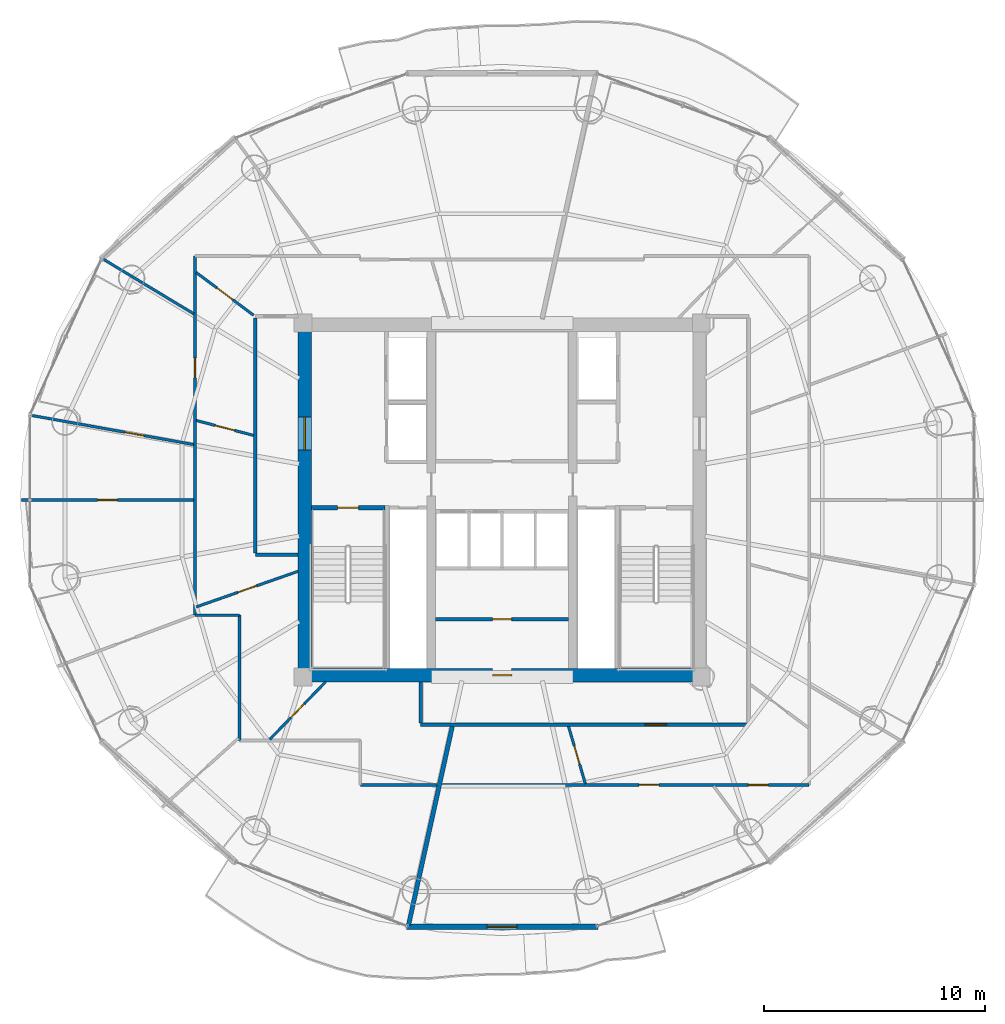
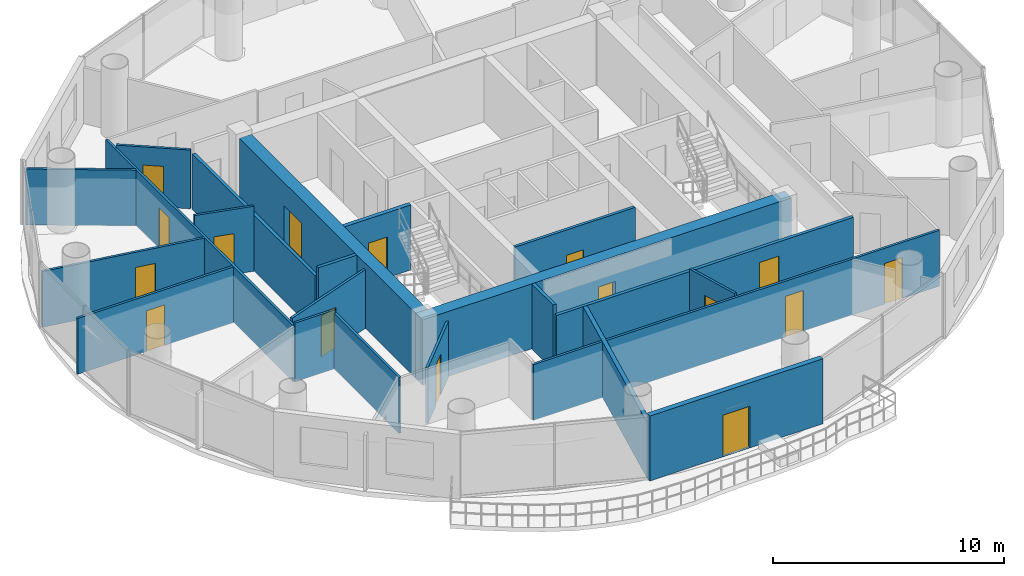
# One storey, part 20 of 26: 23 walls, 16 doors, 16 openings.
"""IFC4 building model written with IfcOpenShell, lengths in metres."""

from ifc_helpers import new_model, si_unit, direction, frame, frame_2d, origin, place, context, subcontext, project, spatial, rectangle, extrude, source, transform, mapped, material, layer, layer_set, type_object, element, fill, save


model = new_model("IFC4")

# Units and contexts
model_context = context("Model", 3, precision=1e-05, world=origin(), true_north=direction((-0.2419218956, 0.970295726276)))
body_context = subcontext(model_context, "Body", "Model", "MODEL_VIEW")
ifc_project = project(units=[si_unit("LENGTHUNIT", "METRE"), si_unit("AREAUNIT", "SQUARE_METRE"), si_unit("VOLUMEUNIT", "CUBIC_METRE"), si_unit("PLANEANGLEUNIT", "RADIAN"), si_unit("MASSUNIT", "GRAM", prefix="KILO")], contexts=[model_context])

# Site, building, storey
site_placement = place(None, origin())
site = spatial("IfcSite", under=ifc_project, at=site_placement, CompositionType="ELEMENT")
building_placement = place(site_placement, origin())
building = spatial("IfcBuilding", under=site, at=building_placement, Name="Cobrevalo Terracotta Tower", CompositionType="ELEMENT")
storey_placement = place(building_placement, frame((0.0, 0.0, 228.199951171875)))
storey = spatial("IfcBuildingStorey", under=building, at=storey_placement, Name="L60", CompositionType="ELEMENT", Elevation=228.199951171875)

# Wall, opening, door
ifc_material_1 = material(Name="Concrete C55", Category="concrete")
ifc_layer_1 = layer(ifc_material_1, 0.60009765625)
ifc_layer_set_1 = layer_set([ifc_layer_1], Name="Concrete C55")
wall_type_1 = type_object("IfcWallType", Name="Core shear wall 600 mm Concrete C55", PredefinedType="SHEAR", material=ifc_layer_set_1)
wall_1_placement = place(storey_placement, frame((28.77490234375, 18.875, 0.0), z_axis=(0.0, 0.0, 1.0), x_axis=(1.0, 0.0, 0.0)))
wall_1 = element("IfcWall", 1, at=wall_1_placement, inside=storey, type_object=wall_type_1, Name="L60 south core shear wall", PredefinedType="SHEAR", context=body_context, shape_type="SweptSolid", body=[
    extrude(rectangle(XDim=18.4501953125, YDim=0.60009765625, at=frame_2d((9.22509765625, 0.0))), origin(), (0.0, 0.0, 1.0), 3.43505859375),
])
opening_1_placement = place(wall_1_placement, frame((8.800048828125, 0.0, 0.0)))
opening_1 = element("IfcOpeningElement", 2, at=opening_1_placement, cuts=wall_1, Name="Opening ID-22", PredefinedType="OPENING", context=body_context, shape_type="SweptSolid", body=[
    extrude(rectangle(XDim=0.85009765625, YDim=2.10009765625, at=frame_2d((0.425048828125, 1.050048828125))), frame((0.0, 0.31005859375, 0.0), z_axis=(0.0, -1.0, 0.0), x_axis=(1.0, 0.0, 0.0)), (0.0, 0.0, 1.0), 0.6201171875),
])
ifc_material_2 = material(Name="Powder-coated steel", Category="steel")
door_type_1 = type_object("IfcDoorType", Name="Riser shaft & meter closet fire access door 850x2100 EI 60", OperationType="NOTDEFINED", PredefinedType="DOOR", material=ifc_material_2)
shared_shape_1 = source(origin(), body_context, "Body", "SweptSolid", [
    extrude(rectangle(XDim=0.85009765625, YDim=2.10009765625, at=frame_2d((0.425048828125, 1.050048828125))), frame((0.0, 0.02490234375, 0.0), z_axis=(0.0, -1.0, 0.0), x_axis=(1.0, 0.0, 0.0)), (0.0, 0.0, 1.0), 0.050048828125),
])
door_1_placement = place(opening_1_placement, origin())
door_1 = element("IfcDoor", 3, at=door_1_placement, inside=storey, type_object=door_type_1, Name="L60 core south plant door Smoke Extract Fan Plant", OperationType="SINGLE_SWING_RIGHT", OverallHeight=2.10009765625, OverallWidth=0.85009765625, PredefinedType="DOOR", context=body_context, shape_type="MappedRepresentation", body=[
    mapped(shared_shape_1, transform((0.0, 0.0, 0.0), scale=1.0)),
])
fill(opening_1, door_1)

wall_2_placement = place(storey_placement, frame((29.074951171875, 19.175048828125, 0.0), z_axis=(0.0, 0.0, 1.0), x_axis=(0.0, 1.0, 0.0)))
wall_2 = element("IfcWall", 4, at=wall_2_placement, inside=storey, type_object=wall_type_1, Name="L60 west core shear wall", PredefinedType="SHEAR", context=body_context, shape_type="SweptSolid", body=[
    extrude(rectangle(XDim=15.25, YDim=0.60009765625, at=frame_2d((7.625, 0.0))), origin(), (0.0, 0.0, 1.0), 3.43505859375),
])
opening_2_placement = place(wall_2_placement, frame((9.875, 0.0, 0.0)))
opening_2 = element("IfcOpeningElement", 5, at=opening_2_placement, cuts=wall_2, Name="Opening ID-14", PredefinedType="OPENING", context=body_context, shape_type="SweptSolid", body=[
    extrude(rectangle(XDim=1.5, YDim=2.199951171875, at=frame_2d((0.75, 1.10009765625))), frame((0.0, 0.31005859375, 0.0), z_axis=(0.0, -1.0, 0.0), x_axis=(1.0, 0.0, 0.0)), (0.0, 0.0, 1.0), 0.6201171875),
])
ifc_material_3 = material(Name="Galvanized fire-rated steel", Category="steel")
door_type_2 = type_object("IfcDoorType", Name="Core cross-lobby double fire door 1500x2200 EI 90", OperationType="NOTDEFINED", PredefinedType="DOOR", material=ifc_material_3)
shared_shape_2 = source(origin(), body_context, "Body", "SweptSolid", [
    extrude(rectangle(XDim=1.5, YDim=2.199951171875, at=frame_2d((0.75, 1.10009765625))), frame((0.0, 0.02490234375, 0.0), z_axis=(0.0, -1.0, 0.0), x_axis=(1.0, 0.0, 0.0)), (0.0, 0.0, 1.0), 0.050048828125),
])
door_2_placement = place(opening_2_placement, origin())
door_2 = element("IfcDoor", 6, at=door_2_placement, inside=storey, type_object=door_type_2, Name="L60 west firefighting lobby entrance door", OperationType="DOUBLE_DOOR_SINGLE_SWING", OverallHeight=2.199951171875, OverallWidth=1.5, PredefinedType="DOOR", context=body_context, shape_type="MappedRepresentation", body=[
    mapped(shared_shape_2, transform((0.0, 0.0, 0.0), scale=1.0)),
])
fill(opening_2, door_2)

# Walls
ifc_material_4 = material(Name="Gypsum board on steel stud", Category="steel")
ifc_layer_2 = layer(ifc_material_4, 0.159912109375)
ifc_layer_set_2 = layer_set([ifc_layer_2], Name="Gypsum board on steel stud")
wall_type_2 = type_object("IfcWallType", Name="Fire-rated corridor acoustic partition wall 160 mm", PredefinedType="PARTITIONING", material=ifc_layer_set_2)
wall_3_placement = place(storey_placement, frame((26.844970703125, 24.39990234375, 0.0), z_axis=(0.0, 0.0, 1.0), x_axis=(0.0, 1.0, 0.0)))
element("IfcWall", 7, at=wall_3_placement, inside=storey, type_object=wall_type_2, Name="L60 interior partition IW-L60-COR-W", PredefinedType="PARTITIONING", context=body_context, shape_type="SweptSolid", body=[
    extrude(rectangle(XDim=10.625, YDim=0.159912109375, at=frame_2d((5.3125, 0.0))), origin(), (0.0, 0.0, 1.0), 2.950927734375),
])
wall_4_placement = place(storey_placement, frame((26.844970703125, 24.320068359375, 0.0), z_axis=(0.0, 0.0, 1.0), x_axis=(1.0, 0.0, 0.0)))
element("IfcWall", 8, at=wall_4_placement, inside=storey, type_object=wall_type_2, Name="L60 interior partition IW-L60-COR-WS-CAP", PredefinedType="PARTITIONING", context=body_context, shape_type="SweptSolid", body=[
    extrude(rectangle(XDim=1.929931640625, YDim=0.159912109375, at=frame_2d((0.96484375, 0.0))), origin(), (0.0, 0.0, 1.0), 3.43505859375),
])

# Wall, opening, door
wall_5_placement = place(storey_placement, frame((34.320068359375, 16.64501953125, 0.0), z_axis=(0.0, 0.0, 1.0), x_axis=(1.0, 0.0, 0.0)))
wall_5 = element("IfcWall", 9, at=wall_5_placement, inside=storey, type_object=wall_type_2, Name="L60 interior partition IW-L60-COR-S", PredefinedType="PARTITIONING", context=body_context, shape_type="SweptSolid", body=[
    extrude(rectangle(XDim=14.8349609375, YDim=0.159912109375, at=frame_2d((7.41748046875, 0.0))), origin(), (0.0, 0.0, 1.0), 2.950927734375),
])
opening_3_placement = place(wall_5_placement, frame((10.135009765625, 0.0, 0.0)))
opening_3 = element("IfcOpeningElement", 10, at=opening_3_placement, cuts=wall_5, Name="Opening ID-05", PredefinedType="OPENING", context=body_context, shape_type="SweptSolid", body=[
    extrude(rectangle(XDim=0.97998046875, YDim=2.199951171875, at=frame_2d((0.489990234375, 1.10009765625))), frame((0.0, 0.08984375, 0.0), z_axis=(0.0, -1.0, 0.0), x_axis=(1.0, 0.0, 0.0)), (0.0, 0.0, 1.0), 0.179931640625),
])
ifc_material_5 = material(Name="Solid hardwood timber", Category="wood")
door_type_3 = type_object("IfcDoorType", Name="Residence entrance fire-rated acoustic timber door 980x2200 EI 60", OperationType="NOTDEFINED", PredefinedType="DOOR", material=ifc_material_5)
shared_shape_3 = source(origin(), body_context, "Body", "SweptSolid", [
    extrude(rectangle(XDim=0.97998046875, YDim=2.199951171875, at=frame_2d((0.489990234375, 1.10009765625))), frame((0.0, 0.02490234375, 0.0), z_axis=(0.0, -1.0, 0.0), x_axis=(1.0, 0.0, 0.0)), (0.0, 0.0, 1.0), 0.050048828125),
])
door_3_placement = place(opening_3_placement, frame((0.97998046875, 0.0, 0.0), z_axis=(0.0, 0.0, 1.0), x_axis=(-1.0, 0.0, 0.0)))
door_3 = element("IfcDoor", 11, at=door_3_placement, inside=storey, type_object=door_type_3, Name="Flat L60B fire-rated apartment entrance door", OperationType="SINGLE_SWING_LEFT", OverallHeight=2.199951171875, OverallWidth=0.97998046875, PredefinedType="DOOR", context=body_context, shape_type="MappedRepresentation", body=[
    mapped(shared_shape_3, transform((0.0, 0.0, 0.0), scale=1.0)),
])
fill(opening_3, door_3)

# Walls
wall_6_placement = place(storey_placement, frame((34.320068359375, 16.72509765625, 0.0), z_axis=(0.0, 0.0, 1.0), x_axis=(0.0, 1.0, 0.0)))
element("IfcWall", 12, at=wall_6_placement, inside=storey, type_object=wall_type_2, Name="L60 interior partition IW-L60-COR-SW-CAP", PredefinedType="PARTITIONING", context=body_context, shape_type="SweptSolid", body=[
    extrude(rectangle(XDim=1.849853515625, YDim=0.159912109375, at=frame_2d((0.9248046875, 0.0))), origin(), (0.0, 0.0, 1.0), 3.43505859375),
])
ifc_material_6 = material(Name="Autoclaved aerated concrete block", Category="concrete")
ifc_layer_3 = layer(ifc_material_6, 0.199951171875)
ifc_layer_set_3 = layer_set([ifc_layer_3], Name="Autoclaved aerated concrete block")
wall_type_3 = type_object("IfcWallType", Name="Fire-rated stair, shaft & demising masonry wall 200 mm", PredefinedType="PARTITIONING", material=ifc_layer_set_3)
wall_7_placement = place(storey_placement, frame((35.7470703125, 16.56494140625, 0.0), z_axis=(0.0, 0.0, 1.0), x_axis=(-0.214957946814, -0.976623305631, 0.0)))
element("IfcWall", 13, at=wall_7_placement, inside=storey, type_object=wall_type_3, Name="L60 interior partition IW-L60-DEM-2", PredefinedType="PARTITIONING", context=body_context, shape_type="SweptSolid", body=[
    extrude(rectangle(XDim=9.201904296875, YDim=0.199951171875, at=frame_2d((4.60107421875, 0.0))), origin(), (0.0, 0.0, 1.0), 2.950927734375),
])

# Wall, opening, door
ifc_layer_4 = layer(ifc_material_6, 0.139892578125)
ifc_layer_set_4 = layer_set([ifc_layer_4], Name="Autoclaved aerated concrete block")
wall_type_4 = type_object("IfcWallType", Name="Moisture-resistant wet-room & core service partition 140 mm", PredefinedType="PARTITIONING", material=ifc_layer_set_4)
wall_8_placement = place(storey_placement, frame((34.989990234375, 21.407470703125, 0.0), z_axis=(0.0, 0.0, 1.0), x_axis=(1.0, 0.0, 0.0)))
wall_8 = element("IfcWall", 14, at=wall_8_placement, inside=storey, type_object=wall_type_4, Name="L60 interior partition IW-L60-KVS-H", PredefinedType="PARTITIONING", context=body_context, shape_type="SweptSolid", body=[
    extrude(rectangle(XDim=6.02001953125, YDim=0.139892578125, at=frame_2d((3.010009765625, 0.0))), origin(), (0.0, 0.0, 1.0), 3.43505859375),
])
opening_4_placement = place(wall_8_placement, frame((2.5849609375, 0.0, 0.0)))
opening_4 = element("IfcOpeningElement", 15, at=opening_4_placement, cuts=wall_8, Name="Opening ID-22", PredefinedType="OPENING", context=body_context, shape_type="SweptSolid", body=[
    extrude(rectangle(XDim=0.85009765625, YDim=2.10009765625, at=frame_2d((0.425048828125, 1.050048828125))), frame((0.0, 0.080078125, 0.0), z_axis=(0.0, -1.0, 0.0), x_axis=(1.0, 0.0, 0.0)), (0.0, 0.0, 1.0), 0.159912109375),
])
door_4_placement = place(opening_4_placement, origin())
door_4 = element("IfcDoor", 16, at=door_4_placement, inside=storey, type_object=door_type_1, Name="L60 core manifold inner door", OperationType="SINGLE_SWING_LEFT", OverallHeight=2.10009765625, OverallWidth=0.85009765625, PredefinedType="DOOR", context=body_context, shape_type="MappedRepresentation", body=[
    mapped(shared_shape_1, transform((0.0, 0.0, 0.0), scale=1.0)),
])
fill(opening_4, door_4)

ifc_layer_5 = layer(ifc_material_6, 0.260009765625)
ifc_layer_set_5 = layer_set([ifc_layer_5], Name="Autoclaved aerated concrete block")
wall_type_5 = type_object("IfcWallType", Name="Recessed balcony loggia insulated exterior wall 260 mm", PredefinedType="SOLIDWALL", material=ifc_layer_set_5)
wall_9_placement = place(storey_placement, frame((33.6728515625, 7.508056640625, 0.0), z_axis=(0.0, 0.0, 1.0), x_axis=(1.0, 0.0, 0.0)))
wall_9 = element("IfcWall", 17, at=wall_9_placement, inside=storey, type_object=wall_type_5, Name="L60 balcony loggia wall S12", PredefinedType="SOLIDWALL", context=body_context, shape_type="SweptSolid", body=[
    extrude(rectangle(XDim=8.654296875, YDim=0.260009765625, at=frame_2d((4.3271484375, 0.0))), origin(), (0.0, 0.0, 1.0), 3.43505859375),
])
opening_5_placement = place(wall_9_placement, frame((3.652099609375, 0.0, 0.0)))
opening_5 = element("IfcOpeningElement", 18, at=opening_5_placement, cuts=wall_9, Name="Opening ED-05", PredefinedType="OPENING", context=body_context, shape_type="SweptSolid", body=[
    extrude(rectangle(XDim=1.35009765625, YDim=2.199951171875, at=frame_2d((0.675048828125, 1.10009765625))), frame((0.0, 0.14013671875, 0.0), z_axis=(0.0, -1.0, 0.0), x_axis=(1.0, 0.0, 0.0)), (0.0, 0.0, 1.0), 0.280029296875),
])
ifc_material_7 = material(Name="Anodized aluminium and laminated glass", Category="aluminium")
door_type_4 = type_object("IfcDoorType", Name="Suite balcony acoustic glazed terrace door 1350x2200", OperationType="NOTDEFINED", PredefinedType="DOOR", material=ifc_material_7)
shared_shape_4 = source(origin(), body_context, "Body", "SweptSolid", [
    extrude(rectangle(XDim=1.35009765625, YDim=2.199951171875, at=frame_2d((0.675048828125, 1.10009765625))), frame((0.0, 0.02490234375, 0.0), z_axis=(0.0, -1.0, 0.0), x_axis=(1.0, 0.0, 0.0)), (0.0, 0.0, 1.0), 0.050048828125),
])
door_5_placement = place(opening_5_placement, frame((1.35009765625, 0.0, 0.0), z_axis=(0.0, 0.0, 1.0), x_axis=(-1.0, 0.0, 0.0)))
door_5 = element("IfcDoor", 19, at=door_5_placement, inside=storey, type_object=door_type_4, Name="L60 glazed balcony terrace door 2", OperationType="SINGLE_SWING_RIGHT", OverallHeight=2.199951171875, OverallWidth=1.35009765625, PredefinedType="DOOR", context=body_context, shape_type="MappedRepresentation", body=[
    mapped(shared_shape_4, transform((0.0, 0.0, 0.0), scale=1.0)),
])
fill(opening_5, door_5)

# Walls
ifc_layer_6 = layer(ifc_material_4, 0.1201171875)
ifc_layer_set_6 = layer_set([ifc_layer_6], Name="Gypsum board on steel stud")
wall_type_6 = type_object("IfcWallType", Name="Residential internal acoustic stud partition 120 mm", PredefinedType="PARTITIONING", material=ifc_layer_set_6)
wall_10_placement = place(storey_placement, frame((35.061767578125, 13.9150390625, 0.0), z_axis=(0.0, 0.0, 1.0), x_axis=(-1.0, 0.0, 0.0)))
element("IfcWall", 20, at=wall_10_placement, inside=storey, type_object=wall_type_6, Name="L60 interior partition IW-L60-U1-RING0_0", PredefinedType="PARTITIONING", context=body_context, shape_type="SweptSolid", body=[
    extrude(rectangle(XDim=3.4716796875, YDim=0.1201171875, at=frame_2d((1.73583984375, 0.0))), origin(), (0.0, 0.0, 1.0), 2.950927734375),
])
wall_11_placement = place(storey_placement, frame((26.125, 15.925048828125, 0.0), z_axis=(0.0, 0.0, 1.0), x_axis=(0.0, 1.0, 0.0)))
element("IfcWall", 21, at=wall_11_placement, inside=storey, type_object=wall_type_6, Name="L60 interior partition IW-L60-U1-RING3_0", PredefinedType="PARTITIONING", context=body_context, shape_type="SweptSolid", body=[
    extrude(rectangle(XDim=5.6650390625, YDim=0.1201171875, at=frame_2d((2.83251953125, 0.0))), origin(), (0.0, 0.0, 1.0), 2.950927734375),
])
wall_12_placement = place(storey_placement, frame((26.125, 21.590087890625, 0.0), z_axis=(0.0, 0.0, 1.0), x_axis=(-1.0, 0.0, 0.0)))
element("IfcWall", 22, at=wall_12_placement, inside=storey, type_object=wall_type_6, Name="L60 interior partition IW-L60-U1-RING4_0", PredefinedType="PARTITIONING", context=body_context, shape_type="SweptSolid", body=[
    extrude(rectangle(XDim=2.010009765625, YDim=0.1201171875, at=frame_2d((1.0048828125, 0.0))), origin(), (0.0, 0.0, 1.0), 3.110107421875),
])

# Wall, opening, door
wall_13_placement = place(storey_placement, frame((24.114990234375, 21.590087890625, 0.0), z_axis=(0.0, 0.0, 1.0), x_axis=(0.0, 1.0, 0.0)))
wall_13 = element("IfcWall", 23, at=wall_13_placement, inside=storey, type_object=wall_type_6, Name="L60 interior partition IW-L60-U1-RING5_0", PredefinedType="PARTITIONING", context=body_context, shape_type="SweptSolid", body=[
    extrude(rectangle(XDim=16.244873046875, YDim=0.1201171875, at=frame_2d((8.12255859375, 0.0))), origin(), (0.0, 0.0, 1.0), 2.950927734375),
])
opening_6_placement = place(wall_13_placement, frame((10.73291015625, 0.0, 0.0)))
opening_6 = element("IfcOpeningElement", 24, at=opening_6_placement, cuts=wall_13, Name="Opening ID-12", PredefinedType="OPENING", context=body_context, shape_type="SweptSolid", body=[
    extrude(rectangle(XDim=0.89990234375, YDim=2.14990234375, at=frame_2d((0.449951171875, 1.074951171875))), frame((0.0, 0.070068359375, 0.0), z_axis=(0.0, -1.0, 0.0), x_axis=(1.0, 0.0, 0.0)), (0.0, 0.0, 1.0), 0.14013671875),
])
ifc_material_8 = material(Name="Engineered timber", Category="wood")
door_type_5 = type_object("IfcDoorType", Name="Internal residence & suite timber door 900x2150", OperationType="NOTDEFINED", PredefinedType="DOOR", material=ifc_material_8)
shared_shape_5 = source(origin(), body_context, "Body", "SweptSolid", [
    extrude(rectangle(XDim=0.89990234375, YDim=2.14990234375, at=frame_2d((0.449951171875, 1.074951171875))), frame((0.0, 0.02490234375, 0.0), z_axis=(0.0, -1.0, 0.0), x_axis=(1.0, 0.0, 0.0)), (0.0, 0.0, 1.0), 0.050048828125),
])
door_6_placement = place(opening_6_placement, origin())
door_6 = element("IfcDoor", 25, at=door_6_placement, inside=storey, type_object=door_type_5, Name="Flat L60A Principal Guest Bedroom internal door", OperationType="SINGLE_SWING_RIGHT", OverallHeight=2.14990234375, OverallWidth=0.89990234375, PredefinedType="DOOR", context=body_context, shape_type="MappedRepresentation", body=[
    mapped(shared_shape_5, transform((0.0, 0.0, 0.0), scale=1.0)),
])
fill(opening_6, door_6)

# Wall
wall_14_placement = place(storey_placement, frame((24.06201171875, 35.216064453125, 0.0), z_axis=(0.0, 0.0, 1.0), x_axis=(-0.856058483833, 0.516878972543, 0.0)))
element("IfcWall", 26, at=wall_14_placement, inside=storey, type_object=wall_type_6, Name="L60 interior partition IW-L60-U1-ORAD2", PredefinedType="PARTITIONING", context=body_context, shape_type="SweptSolid", body=[
    extrude(rectangle(XDim=4.78662109375, YDim=0.1201171875, at=frame_2d((2.393310546875, 0.0))), origin(), (0.0, 0.0, 1.0), 2.950927734375),
])

# Wall, opening, door
wall_15_placement = place(storey_placement, frame((24.053955078125, 29.306884765625, 0.0), z_axis=(0.0, 0.0, 1.0), x_axis=(-0.984227185588, 0.176909149424, 0.0)))
wall_15 = element("IfcWall", 27, at=wall_15_placement, inside=storey, type_object=wall_type_6, Name="L60 interior partition IW-L60-U1-ORAD3", PredefinedType="PARTITIONING", context=body_context, shape_type="SweptSolid", body=[
    extrude(rectangle(XDim=7.447998046875, YDim=0.1201171875, at=frame_2d((3.72412109375, 0.0))), origin(), (0.0, 0.0, 1.0), 2.950927734375),
])
opening_7_placement = place(wall_15_placement, frame((2.263916015625, 0.0, 0.0)))
opening_7 = element("IfcOpeningElement", 28, at=opening_7_placement, cuts=wall_15, Name="Opening ID-12", PredefinedType="OPENING", context=body_context, shape_type="SweptSolid", body=[
    extrude(rectangle(XDim=0.89990234375, YDim=2.14990234375, at=frame_2d((0.449951171875, 1.074951171875))), frame((0.0, 0.070068359375, 0.0), z_axis=(0.0, -1.0, 0.0), x_axis=(1.0, 0.0, 0.0)), (0.0, 0.0, 1.0), 0.14013671875),
])
door_7_placement = place(opening_7_placement, origin())
door_7 = element("IfcDoor", 29, at=door_7_placement, inside=storey, type_object=door_type_5, Name="Flat L60A North Bedroom internal door", OperationType="SINGLE_SWING_LEFT", OverallHeight=2.14990234375, OverallWidth=0.89990234375, PredefinedType="DOOR", context=body_context, shape_type="MappedRepresentation", body=[
    mapped(shared_shape_5, transform((0.0, 0.0, 0.0), scale=1.0)),
])
fill(opening_7, door_7)

wall_16_placement = place(storey_placement, frame((24.052978515625, 26.800048828125, 0.0), z_axis=(0.0, 0.0, 1.0), x_axis=(-1.0, 0.0, 0.0)))
wall_16 = element("IfcWall", 30, at=wall_16_placement, inside=storey, type_object=wall_type_6, Name="L60 interior partition IW-L60-U1-ORAD4M1", PredefinedType="PARTITIONING", context=body_context, shape_type="SweptSolid", body=[
    extrude(rectangle(XDim=7.79296875, YDim=0.1201171875, at=frame_2d((3.896484375, 0.0))), origin(), (0.0, 0.0, 1.0), 2.950927734375),
])
opening_8_placement = place(wall_16_placement, frame((3.446533203125, 0.0, 0.0)))
opening_8 = element("IfcOpeningElement", 31, at=opening_8_placement, cuts=wall_16, Name="Opening ID-12", PredefinedType="OPENING", context=body_context, shape_type="SweptSolid", body=[
    extrude(rectangle(XDim=0.89990234375, YDim=2.14990234375, at=frame_2d((0.449951171875, 1.074951171875))), frame((0.0, 0.070068359375, 0.0), z_axis=(0.0, -1.0, 0.0), x_axis=(1.0, 0.0, 0.0)), (0.0, 0.0, 1.0), 0.14013671875),
])
door_8_placement = place(opening_8_placement, origin())
door_8 = element("IfcDoor", 32, at=door_8_placement, inside=storey, type_object=door_type_5, Name="Flat L60A Principal Guest Bedroom internal door", OperationType="SINGLE_SWING_RIGHT", OverallHeight=2.14990234375, OverallWidth=0.89990234375, PredefinedType="DOOR", context=body_context, shape_type="MappedRepresentation", body=[
    mapped(shared_shape_5, transform((0.0, 0.0, 0.0), scale=1.0)),
])
fill(opening_8, door_8)

wall_17_placement = place(storey_placement, frame((26.764892578125, 35.154296875, 0.0), z_axis=(0.0, 0.0, 1.0), x_axis=(-0.802434587752, 0.596740087793, 0.0)))
wall_17 = element("IfcWall", 33, at=wall_17_placement, inside=storey, type_object=wall_type_6, Name="L60 interior partition IW-L60-U1-IRAD2", PredefinedType="PARTITIONING", context=body_context, shape_type="SweptSolid", body=[
    extrude(rectangle(XDim=3.240234375, YDim=0.1201171875, at=frame_2d((1.6201171875, 0.0))), origin(), (0.0, 0.0, 1.0), 3.110107421875),
])
opening_9_placement = place(wall_17_placement, frame((1.170166015625, 0.0, 0.0)))
opening_9 = element("IfcOpeningElement", 34, at=opening_9_placement, cuts=wall_17, Name="Opening ID-12", PredefinedType="OPENING", context=body_context, shape_type="SweptSolid", body=[
    extrude(rectangle(XDim=0.89990234375, YDim=2.14990234375, at=frame_2d((0.449951171875, 1.074951171875))), frame((0.0, 0.070068359375, 0.0), z_axis=(0.0, -1.0, 0.0), x_axis=(1.0, 0.0, 0.0)), (0.0, 0.0, 1.0), 0.14013671875),
])
door_9_placement = place(opening_9_placement, origin())
door_9 = element("IfcDoor", 35, at=door_9_placement, inside=storey, type_object=door_type_5, Name="Flat L60A Kitchen internal door", OperationType="SINGLE_SWING_LEFT", OverallHeight=2.14990234375, OverallWidth=0.89990234375, PredefinedType="DOOR", context=body_context, shape_type="MappedRepresentation", body=[
    mapped(shared_shape_5, transform((0.0, 0.0, 0.0), scale=1.0)),
])
fill(opening_9, door_9)

wall_18_placement = place(storey_placement, frame((26.764892578125, 29.720947265625, 0.0), z_axis=(0.0, 0.0, 1.0), x_axis=(-0.967824284298, 0.251627015092, 0.0)))
wall_18 = element("IfcWall", 36, at=wall_18_placement, inside=storey, type_object=wall_type_6, Name="L60 interior partition IW-L60-U1-IRAD3", PredefinedType="PARTITIONING", context=body_context, shape_type="SweptSolid", body=[
    extrude(rectangle(XDim=2.676025390625, YDim=0.1201171875, at=frame_2d((1.337890625, 0.0))), origin(), (0.0, 0.0, 1.0), 3.43505859375),
])
opening_10_placement = place(wall_18_placement, frame((0.887939453125, 0.0, 0.0)))
opening_10 = element("IfcOpeningElement", 37, at=opening_10_placement, cuts=wall_18, Name="Opening ID-12", PredefinedType="OPENING", context=body_context, shape_type="SweptSolid", body=[
    extrude(rectangle(XDim=0.89990234375, YDim=2.14990234375, at=frame_2d((0.449951171875, 1.074951171875))), frame((0.0, 0.070068359375, 0.0), z_axis=(0.0, -1.0, 0.0), x_axis=(1.0, 0.0, 0.0)), (0.0, 0.0, 1.0), 0.14013671875),
])
door_10_placement = place(opening_10_placement, origin())
door_10 = element("IfcDoor", 38, at=door_10_placement, inside=storey, type_object=door_type_5, Name="Flat L60A Home Office Study internal door", OperationType="SINGLE_SWING_RIGHT", OverallHeight=2.14990234375, OverallWidth=0.89990234375, PredefinedType="DOOR", context=body_context, shape_type="MappedRepresentation", body=[
    mapped(shared_shape_5, transform((0.0, 0.0, 0.0), scale=1.0)),
])
fill(opening_10, door_10)

wall_19_placement = place(storey_placement, frame((28.77490234375, 23.574951171875, 0.0), z_axis=(0.0, 0.0, 1.0), x_axis=(-0.943974645063, -0.330017983569, 0.0)))
wall_19 = element("IfcWall", 39, at=wall_19_placement, inside=storey, type_object=wall_type_6, Name="L60 interior partition IW-L60-U1-IRAD4", PredefinedType="PARTITIONING", context=body_context, shape_type="SweptSolid", body=[
    extrude(rectangle(XDim=4.87451171875, YDim=0.1201171875, at=frame_2d((2.437255859375, 0.0))), origin(), (0.0, 0.0, 1.0), 3.110107421875),
])
opening_11_placement = place(wall_19_placement, frame((1.9873046875, 0.0, 0.0)))
opening_11 = element("IfcOpeningElement", 40, at=opening_11_placement, cuts=wall_19, Name="Opening ID-12", PredefinedType="OPENING", context=body_context, shape_type="SweptSolid", body=[
    extrude(rectangle(XDim=0.89990234375, YDim=2.14990234375, at=frame_2d((0.449951171875, 1.074951171875))), frame((0.0, 0.070068359375, 0.0), z_axis=(0.0, -1.0, 0.0), x_axis=(1.0, 0.0, 0.0)), (0.0, 0.0, 1.0), 0.14013671875),
])
door_11_placement = place(opening_11_placement, origin())
door_11 = element("IfcDoor", 41, at=door_11_placement, inside=storey, type_object=door_type_5, Name="Flat L60A Utility Closet internal door", OperationType="SINGLE_SWING_LEFT", OverallHeight=2.14990234375, OverallWidth=0.89990234375, PredefinedType="DOOR", context=body_context, shape_type="MappedRepresentation", body=[
    mapped(shared_shape_5, transform((0.0, 0.0, 0.0), scale=1.0)),
])
fill(opening_11, door_11)

wall_20_placement = place(storey_placement, frame((30.01806640625, 18.574951171875, 0.0), z_axis=(0.0, 0.0, 1.0), x_axis=(-0.696436677683, -0.717618250867, 0.0)))
wall_20 = element("IfcWall", 42, at=wall_20_placement, inside=storey, type_object=wall_type_6, Name="L60 interior partition IW-L60-U1-IRAD5", PredefinedType="PARTITIONING", context=body_context, shape_type="SweptSolid", body=[
    extrude(rectangle(XDim=3.630615234375, YDim=0.1201171875, at=frame_2d((1.8154296875, 0.0))), origin(), (0.0, 0.0, 1.0), 2.950927734375),
])
opening_12_placement = place(wall_20_placement, frame((1.385498046875, 0.0, 0.0)))
opening_12 = element("IfcOpeningElement", 43, at=opening_12_placement, cuts=wall_20, Name="Opening ID-19", PredefinedType="OPENING", context=body_context, shape_type="SweptSolid", body=[
    extrude(rectangle(XDim=0.860107421875, YDim=2.14990234375, at=frame_2d((0.43017578125, 1.074951171875))), frame((0.0, 0.070068359375, 0.0), z_axis=(0.0, -1.0, 0.0), x_axis=(1.0, 0.0, 0.0)), (0.0, 0.0, 1.0), 0.14013671875),
])
ifc_material_9 = material(Name="Moisture-sealed timber", Category="wood")
door_type_6 = type_object("IfcDoorType", Name="Suite bathroom internal timber door 860x2150", OperationType="NOTDEFINED", PredefinedType="DOOR", material=ifc_material_9)
shared_shape_6 = source(origin(), body_context, "Body", "SweptSolid", [
    extrude(rectangle(XDim=0.860107421875, YDim=2.14990234375, at=frame_2d((0.43017578125, 1.074951171875))), frame((0.0, 0.02490234375, 0.0), z_axis=(0.0, -1.0, 0.0), x_axis=(1.0, 0.0, 0.0)), (0.0, 0.0, 1.0), 0.050048828125),
])
door_12_placement = place(opening_12_placement, origin())
door_12 = element("IfcDoor", 44, at=door_12_placement, inside=storey, type_object=door_type_6, Name="Flat L60A Guest Bathroom internal door", OperationType="SINGLE_SWING_RIGHT", OverallHeight=2.14990234375, OverallWidth=0.860107421875, PredefinedType="DOOR", context=body_context, shape_type="MappedRepresentation", body=[
    mapped(shared_shape_6, transform((0.0, 0.0, 0.0), scale=1.0)),
])
fill(opening_12, door_12)

# Wall, openings, doors
wall_21_placement = place(storey_placement, frame((51.885009765625, 13.9150390625, 0.0), z_axis=(0.0, 0.0, 1.0), x_axis=(-1.0, 0.0, 0.0)))
wall_21 = element("IfcWall", 45, at=wall_21_placement, inside=storey, type_object=wall_type_6, Name="L60 interior partition IW-L60-U2-RING4_0", PredefinedType="PARTITIONING", context=body_context, shape_type="SweptSolid", body=[
    extrude(rectangle(XDim=16.619140625, YDim=0.1201171875, at=frame_2d((8.3095703125, 0.0))), origin(), (0.0, 0.0, 1.0), 2.950927734375),
])
opening_13_placement = place(wall_21_placement, frame((6.796875, 0.0, 0.0)))
opening_13 = element("IfcOpeningElement", 46, at=opening_13_placement, cuts=wall_21, Name="Opening ID-12", PredefinedType="OPENING", context=body_context, shape_type="SweptSolid", body=[
    extrude(rectangle(XDim=0.89990234375, YDim=2.14990234375, at=frame_2d((0.449951171875, 1.074951171875))), frame((0.0, 0.070068359375, 0.0), z_axis=(0.0, -1.0, 0.0), x_axis=(1.0, 0.0, 0.0)), (0.0, 0.0, 1.0), 0.14013671875),
])
opening_14_placement = place(wall_21_placement, frame((1.8486328125, 0.0, 0.0)))
opening_14 = element("IfcOpeningElement", 47, at=opening_14_placement, cuts=wall_21, Name="Opening ID-12", PredefinedType="OPENING", context=body_context, shape_type="SweptSolid", body=[
    extrude(rectangle(XDim=0.89990234375, YDim=2.14990234375, at=frame_2d((0.449951171875, 1.074951171875))), frame((0.0, 0.070068359375, 0.0), z_axis=(0.0, -1.0, 0.0), x_axis=(1.0, 0.0, 0.0)), (0.0, 0.0, 1.0), 0.14013671875),
])
door_13_placement = place(opening_13_placement, origin())
door_13 = element("IfcDoor", 48, at=door_13_placement, inside=storey, type_object=door_type_5, Name="Flat L60B Living and Dining Room internal door", OperationType="SINGLE_SWING_LEFT", OverallHeight=2.14990234375, OverallWidth=0.89990234375, PredefinedType="DOOR", context=body_context, shape_type="MappedRepresentation", body=[
    mapped(shared_shape_5, transform((0.0, 0.0, 0.0), scale=1.0)),
])
fill(opening_13, door_13)
door_14_placement = place(opening_14_placement, frame((0.89990234375, 0.0, 0.0), z_axis=(0.0, 0.0, 1.0), x_axis=(-1.0, 0.0, 0.0)))
door_14 = element("IfcDoor", 49, at=door_14_placement, inside=storey, type_object=door_type_5, Name="Flat L60B Master Bedroom internal door", OperationType="SINGLE_SWING_RIGHT", OverallHeight=2.14990234375, OverallWidth=0.89990234375, PredefinedType="DOOR", context=body_context, shape_type="MappedRepresentation", body=[
    mapped(shared_shape_5, transform((0.0, 0.0, 0.0), scale=1.0)),
])
fill(opening_14, door_14)

# Wall, opening, door
wall_22_placement = place(storey_placement, frame((41.0029296875, 16.56494140625, 0.0), z_axis=(0.0, 0.0, 1.0), x_axis=(0.281617901256, -0.959526632091, 0.0)))
wall_22 = element("IfcWall", 50, at=wall_22_placement, inside=storey, type_object=wall_type_6, Name="L60 interior partition IW-L60-U2-IRAD1", PredefinedType="PARTITIONING", context=body_context, shape_type="SweptSolid", body=[
    extrude(rectangle(XDim=2.69970703125, YDim=0.1201171875, at=frame_2d((1.349853515625, 0.0))), origin(), (0.0, 0.0, 1.0), 3.110107421875),
])
opening_15_placement = place(wall_22_placement, frame((0.919921875, 0.0, 0.0)))
opening_15 = element("IfcOpeningElement", 51, at=opening_15_placement, cuts=wall_22, Name="Opening ID-19", PredefinedType="OPENING", context=body_context, shape_type="SweptSolid", body=[
    extrude(rectangle(XDim=0.860107421875, YDim=2.14990234375, at=frame_2d((0.43017578125, 1.074951171875))), frame((0.0, 0.070068359375, 0.0), z_axis=(0.0, -1.0, 0.0), x_axis=(1.0, 0.0, 0.0)), (0.0, 0.0, 1.0), 0.14013671875),
])
door_15_placement = place(opening_15_placement, frame((0.860107421875, 0.0, 0.0), z_axis=(0.0, 0.0, 1.0), x_axis=(-1.0, 0.0, 0.0)))
door_15 = element("IfcDoor", 52, at=door_15_placement, inside=storey, type_object=door_type_6, Name="Flat L60B Primary Bathroom internal door", OperationType="SINGLE_SWING_RIGHT", OverallHeight=2.14990234375, OverallWidth=0.860107421875, PredefinedType="DOOR", context=body_context, shape_type="MappedRepresentation", body=[
    mapped(shared_shape_6, transform((0.0, 0.0, 0.0), scale=1.0)),
])
fill(opening_15, door_15)

ifc_material_10 = material(Name="Concrete C50", Category="concrete")
ifc_layer_7 = layer(ifc_material_10, 0.199951171875)
ifc_layer_set_7 = layer_set([ifc_layer_7], Name="Concrete C50")
wall_type_7 = type_object("IfcWallType", Name="Structural core & podium stair-shaft RC wall 200 mm Concrete C50", PredefinedType="SOLIDWALL", material=ifc_layer_set_7)
wall_23_placement = place(storey_placement, frame((29.375, 26.449951171875, 0.0), z_axis=(0.0, 0.0, 1.0), x_axis=(1.0, 0.0, 0.0)))
wall_23 = element("IfcWall", 53, at=wall_23_placement, inside=storey, type_object=wall_type_7, Name="L60 ST-1 north structural shaft wall", PredefinedType="SOLIDWALL", context=body_context, shape_type="SweptSolid", body=[
    extrude(rectangle(XDim=3.320068359375, YDim=0.199951171875, at=frame_2d((1.66015625, 0.0))), origin(), (0.0, 0.0, 1.0), 3.43505859375),
])
opening_16_placement = place(wall_23_placement, frame((1.18505859375, 0.0, 0.0)))
opening_16 = element("IfcOpeningElement", 54, at=opening_16_placement, cuts=wall_23, Name="Opening ID-04", PredefinedType="OPENING", context=body_context, shape_type="SweptSolid", body=[
    extrude(rectangle(XDim=0.949951171875, YDim=2.14990234375, at=frame_2d((0.47509765625, 1.074951171875))), frame((0.0, 0.10986328125, 0.0), z_axis=(0.0, -1.0, 0.0), x_axis=(1.0, 0.0, 0.0)), (0.0, 0.0, 1.0), 0.219970703125),
])
door_type_7 = type_object("IfcDoorType", Name="Stair & firefighting lobby fire door 950x2150 EI 90", OperationType="NOTDEFINED", PredefinedType="DOOR", material=ifc_material_3)
shared_shape_7 = source(origin(), body_context, "Body", "SweptSolid", [
    extrude(rectangle(XDim=0.949951171875, YDim=2.14990234375, at=frame_2d((0.47509765625, 1.074951171875))), frame((0.0, 0.02490234375, 0.0), z_axis=(0.0, -1.0, 0.0), x_axis=(1.0, 0.0, 0.0)), (0.0, 0.0, 1.0), 0.050048828125),
])
door_16_placement = place(opening_16_placement, origin())
door_16 = element("IfcDoor", 55, at=door_16_placement, inside=storey, type_object=door_type_7, Name="L60 protected stair ST1 fire door", OperationType="SINGLE_SWING_LEFT", OverallHeight=2.14990234375, OverallWidth=0.949951171875, PredefinedType="DOOR", context=body_context, shape_type="MappedRepresentation", body=[
    mapped(shared_shape_7, transform((0.0, 0.0, 0.0), scale=1.0)),
])
fill(opening_16, door_16)

save(model, "model.ifc")
